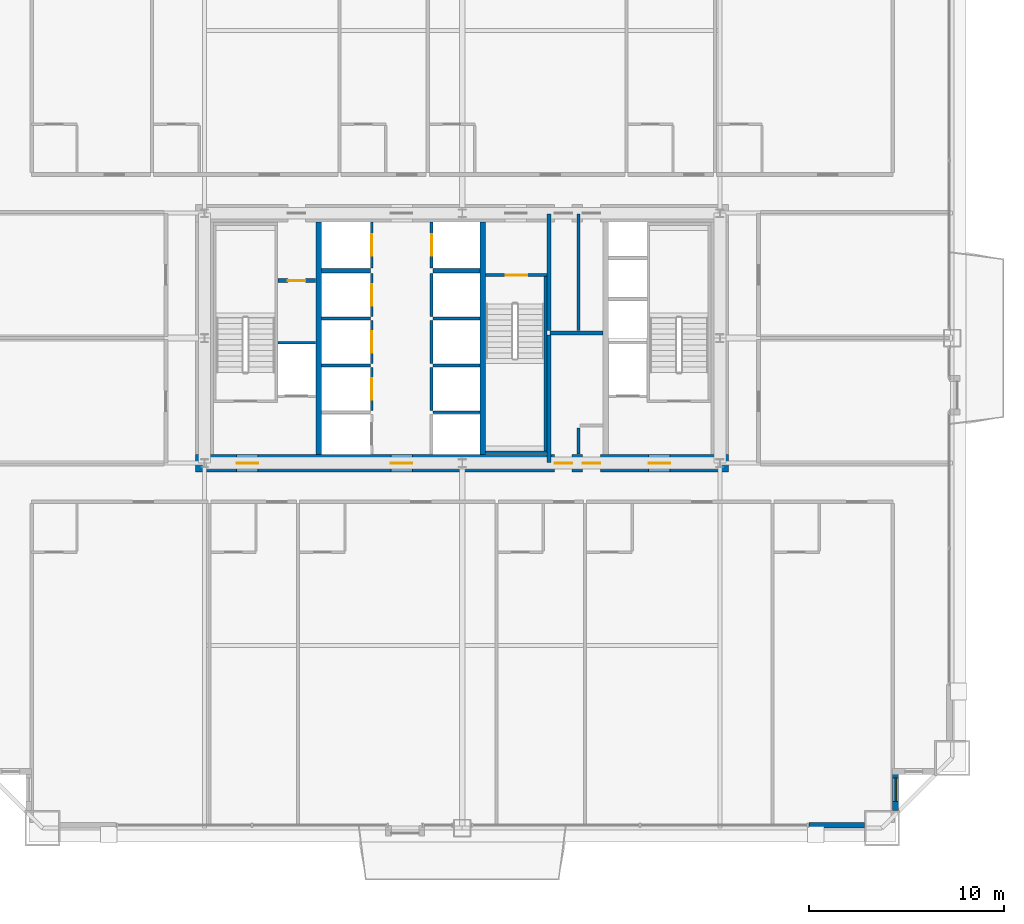
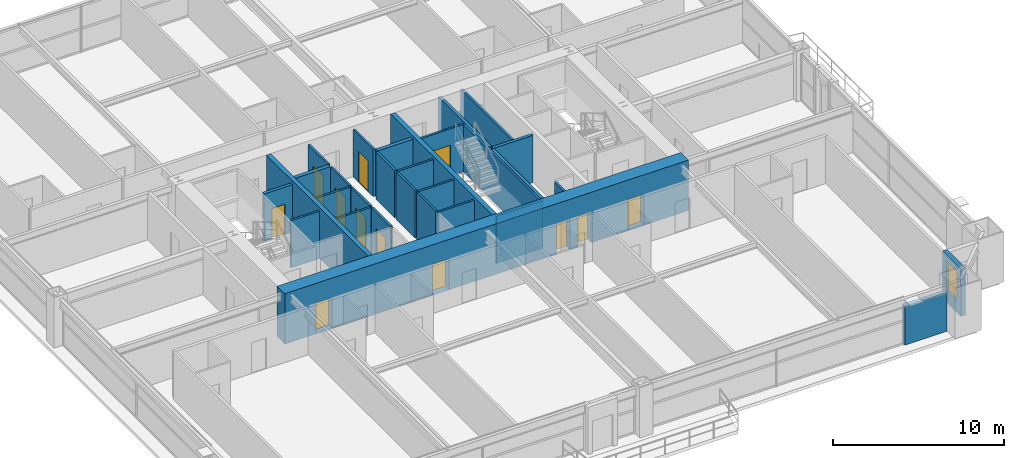
# One storey, part 39 of 43: 30 walls, 12 doors, 1 window, 13 openings.
"""IFC4 building model written with IfcOpenShell, lengths in metres."""

from ifc_helpers import new_model, si_unit, direction, frame, frame_2d, origin, place, context, subcontext, project, spatial, rectangle, extrude, source, transform, mapped, material, layer, layer_set, type_object, element, fill, save


model = new_model("IFC4")

# Units and contexts
model_context = context("Model", 3, precision=1e-05, world=origin(), true_north=direction((0.0, 1.0)))
body_context = subcontext(model_context, "Body", "Model", "MODEL_VIEW")
ifc_project = project(units=[si_unit("LENGTHUNIT", "METRE"), si_unit("AREAUNIT", "SQUARE_METRE"), si_unit("VOLUMEUNIT", "CUBIC_METRE"), si_unit("PLANEANGLEUNIT", "RADIAN"), si_unit("MASSUNIT", "GRAM", prefix="KILO"), si_unit("THERMODYNAMICTEMPERATUREUNIT", "KELVIN"), si_unit("POWERUNIT", "WATT")], contexts=[model_context])

# Site, building, storey
site_placement = place(None, origin())
site = spatial("IfcSite", under=ifc_project, at=site_placement, CompositionType="ELEMENT")
building_placement = place(site_placement, origin())
building = spatial("IfcBuilding", under=site, at=building_placement, Name="Yuzanri Waterfront Tower", CompositionType="ELEMENT")
storey_placement = place(building_placement, frame((0.0, 0.0, 71.199951171875)))
storey = spatial("IfcBuildingStorey", under=building, at=storey_placement, Name="L18", CompositionType="ELEMENT", Elevation=71.199951171875)

# Wall, opening, window
ifc_material_1 = material(Name="Honed Chongqing Dark Basalt Stone", Category="masonry")
ifc_layer_1 = layer(ifc_material_1, 0.300048828125)
ifc_layer_set_1 = layer_set([ifc_layer_1], Name="Honed Chongqing Dark Basalt Stone")
wall_type_1 = type_object("IfcWallType", Name="Bronze Rainscreen Insulated Spandrel Portal Wall 300", PredefinedType="SOLIDWALL", material=ifc_layer_set_1)
wall_1_placement = place(storey_placement, frame((59.199951171875, 1.60009765625, 0.0), z_axis=(0.0, 0.0, 1.0), x_axis=(0.0, 1.0, 0.0)))
wall_1 = element("IfcWall", 1, at=wall_1_placement, inside=storey, type_object=wall_type_1, Name="L18 Notched Corner Masonry Wall SE-Y", PredefinedType="SOLIDWALL", context=body_context, shape_type="SweptSolid", body=[
    extrude(rectangle(XDim=2.14990234375, YDim=0.300048828125, at=frame_2d((1.074951171875, 0.0))), origin(), (0.0, 0.0, 1.0), 3.380126953125),
])
opening_1_placement = place(wall_1_placement, frame((0.47509765625, 0.0, 0.85009765625)))
opening_1 = element("IfcOpeningElement", 2, at=opening_1_placement, cuts=wall_1, Name="Opening WN-02", PredefinedType="OPENING", context=body_context, shape_type="SweptSolid", body=[
    extrude(rectangle(XDim=1.199951171875, YDim=2.10009765625, at=frame_2d((0.60009765625, 1.050048828125))), frame((0.0, 0.1650390625, 0.0), z_axis=(0.0, -1.0, 0.0), x_axis=(1.0, 0.0, 0.0)), (0.0, 0.0, 1.0), 0.329833984375),
])
ifc_material_2 = material(Name="Double-Silver Low-E Insulated Glass", Category="glass")
window_type = type_object("IfcWindowType", Name="Anodized Bronze Notched Corner Deep-Set Slot Window 1200x2100", PartitioningType="SINGLE_PANEL", PredefinedType="WINDOW", material=ifc_material_2)
shared_shape_1 = source(origin(), body_context, "Body", "SweptSolid", [
    extrude(rectangle(XDim=1.199951171875, YDim=2.10009765625, at=frame_2d((0.60009765625, 1.050048828125))), frame((0.0, 0.030029296875, 0.0), z_axis=(0.0, -1.0, 0.0), x_axis=(1.0, 0.0, 0.0)), (0.0, 0.0, 1.0), 0.06005859375),
])
window_placement = place(opening_1_placement, origin())
window = element("IfcWindow", 3, at=window_placement, inside=storey, type_object=window_type, Name="L18 Notched Corner Window SE-Y", OverallHeight=2.10009765625, OverallWidth=1.199951171875, PartitioningType="SINGLE_PANEL", PredefinedType="WINDOW", context=body_context, shape_type="MappedRepresentation", body=[
    mapped(shared_shape_1, transform((0.0, 0.0, 0.0), scale=1.0)),
])
fill(opening_1, window)

# Wall, openings, doors
ifc_material_3 = material(Name="Concrete C60", Category="concrete")
ifc_layer_2 = layer(ifc_material_3, 0.89990234375)
ifc_layer_set_2 = layer_set([ifc_layer_2], Name="Concrete C60")
wall_type_2 = type_object("IfcWallType", Name="Concrete C60 Lower Zone Core Shear Wall 900", PredefinedType="SHEAR", material=ifc_layer_set_2)
wall_2_placement = place(storey_placement, frame((23.35009765625, 19.39990234375, 0.0), z_axis=(0.0, 0.0, 1.0), x_axis=(1.0, 0.0, 0.0)))
wall_2 = element("IfcWall", 4, at=wall_2_placement, inside=storey, type_object=wall_type_2, Name="L18 Core South Shear Wall", PredefinedType="SHEAR", context=body_context, shape_type="SweptSolid", body=[
    extrude(rectangle(XDim=27.2998046875, YDim=0.89990234375, at=frame_2d((13.64990234375, 0.0))), origin(), (0.0, 0.0, 1.0), 3.60009765625),
])
opening_2_placement = place(wall_2_placement, frame((2.10009765625, 0.0, 0.0)))
opening_2 = element("IfcOpeningElement", 5, at=opening_2_placement, cuts=wall_2, Name="Opening FD-1100", PredefinedType="OPENING", context=body_context, shape_type="SweptSolid", body=[
    extrude(rectangle(XDim=1.10009765625, YDim=2.199951171875, at=frame_2d((0.550048828125, 1.10009765625))), frame((0.0, 0.46484375, 0.0), z_axis=(0.0, -1.0, 0.0), x_axis=(1.0, 0.0, 0.0)), (0.0, 0.0, 1.0), 0.9296875),
])
opening_3_placement = place(wall_2_placement, frame((10.0, 0.0, 0.0)))
opening_3 = element("IfcOpeningElement", 6, at=opening_3_placement, cuts=wall_2, Name="Opening FD-1100", PredefinedType="OPENING", context=body_context, shape_type="SweptSolid", body=[
    extrude(rectangle(XDim=1.10009765625, YDim=2.199951171875, at=frame_2d((0.550048828125, 1.10009765625))), frame((0.0, 0.46484375, 0.0), z_axis=(0.0, -1.0, 0.0), x_axis=(1.0, 0.0, 0.0)), (0.0, 0.0, 1.0), 0.9296875),
])
opening_4_placement = place(wall_2_placement, frame((23.199951171875, 0.0, 0.0)))
opening_4 = element("IfcOpeningElement", 7, at=opening_4_placement, cuts=wall_2, Name="Opening FD-1100", PredefinedType="OPENING", context=body_context, shape_type="SweptSolid", body=[
    extrude(rectangle(XDim=1.10009765625, YDim=2.199951171875, at=frame_2d((0.550048828125, 1.10009765625))), frame((0.0, 0.46484375, 0.0), z_axis=(0.0, -1.0, 0.0), x_axis=(1.0, 0.0, 0.0)), (0.0, 0.0, 1.0), 0.9296875),
])
opening_5_placement = place(wall_2_placement, frame((19.820068359375, 0.0, 0.0)))
opening_5 = element("IfcOpeningElement", 8, at=opening_5_placement, cuts=wall_2, Name="Opening FD-0900", PredefinedType="OPENING", context=body_context, shape_type="SweptSolid", body=[
    extrude(rectangle(XDim=0.89990234375, YDim=2.14990234375, at=frame_2d((0.449951171875, 1.074951171875))), frame((0.0, 0.46484375, 0.0), z_axis=(0.0, -1.0, 0.0), x_axis=(1.0, 0.0, 0.0)), (0.0, 0.0, 1.0), 0.9296875),
])
opening_6_placement = place(wall_2_placement, frame((18.3798828125, 0.0, 0.0)))
opening_6 = element("IfcOpeningElement", 9, at=opening_6_placement, cuts=wall_2, Name="Opening FD-0900", PredefinedType="OPENING", context=body_context, shape_type="SweptSolid", body=[
    extrude(rectangle(XDim=0.89990234375, YDim=2.14990234375, at=frame_2d((0.449951171875, 1.074951171875))), frame((0.0, 0.46484375, 0.0), z_axis=(0.0, -1.0, 0.0), x_axis=(1.0, 0.0, 0.0)), (0.0, 0.0, 1.0), 0.9296875),
])
ifc_material_4 = material(Name="Painted Galvanized Fire Steel", Category="steel")
door_type_1 = type_object("IfcDoorType", Name="Smoke-Proof Stair and Lobby Fire Door 1100x2200", OperationType="NOTDEFINED", PredefinedType="DOOR", material=ifc_material_4)
shared_shape_2 = source(origin(), body_context, "Body", "SweptSolid", [
    extrude(rectangle(XDim=1.10009765625, YDim=2.199951171875, at=frame_2d((0.550048828125, 1.10009765625))), frame((0.0, 0.02490234375, 0.0), z_axis=(0.0, -1.0, 0.0), x_axis=(1.0, 0.0, 0.0)), (0.0, 0.0, 1.0), 0.050048828125),
])
door_1_placement = place(opening_2_placement, origin())
door_1 = element("IfcDoor", 10, at=door_1_placement, inside=storey, type_object=door_type_1, Name="L18 West Firefighting Lobby Door", OperationType="SINGLE_SWING_LEFT", OverallHeight=2.199951171875, OverallWidth=1.10009765625, PredefinedType="DOOR", context=body_context, shape_type="MappedRepresentation", body=[
    mapped(shared_shape_2, transform((0.0, 0.0, 0.0), scale=1.0)),
])
fill(opening_2, door_1)
door_2_placement = place(opening_3_placement, origin())
door_2 = element("IfcDoor", 11, at=door_2_placement, inside=storey, type_object=door_type_1, Name="L18 Central Lift Lobby South Door", OperationType="SINGLE_SWING_RIGHT", OverallHeight=2.199951171875, OverallWidth=1.10009765625, PredefinedType="DOOR", context=body_context, shape_type="MappedRepresentation", body=[
    mapped(shared_shape_2, transform((0.0, 0.0, 0.0), scale=1.0)),
])
fill(opening_3, door_2)
door_3_placement = place(opening_4_placement, origin())
door_3 = element("IfcDoor", 12, at=door_3_placement, inside=storey, type_object=door_type_1, Name="L18 East Firefighting Lobby Door", OperationType="SINGLE_SWING_LEFT", OverallHeight=2.199951171875, OverallWidth=1.10009765625, PredefinedType="DOOR", context=body_context, shape_type="MappedRepresentation", body=[
    mapped(shared_shape_2, transform((0.0, 0.0, 0.0), scale=1.0)),
])
fill(opening_4, door_3)
ifc_material_5 = material(Name="Painted Galvanized Fire Steel", Category="steel")
door_type_2 = type_object("IfcDoorType", Name="Riser and Service Room Fire Door 900x2150", OperationType="NOTDEFINED", PredefinedType="DOOR", material=ifc_material_5)
shared_shape_3 = source(origin(), body_context, "Body", "SweptSolid", [
    extrude(rectangle(XDim=0.89990234375, YDim=2.14990234375, at=frame_2d((0.449951171875, 1.074951171875))), frame((0.0, 0.02490234375, 0.0), z_axis=(0.0, -1.0, 0.0), x_axis=(1.0, 0.0, 0.0)), (0.0, 0.0, 1.0), 0.050048828125),
])
door_4_placement = place(opening_5_placement, origin())
door_4 = element("IfcDoor", 13, at=door_4_placement, inside=storey, type_object=door_type_2, Name="L18 East Wet Riser Door", OperationType="SINGLE_SWING_RIGHT", OverallHeight=2.14990234375, OverallWidth=0.89990234375, PredefinedType="DOOR", context=body_context, shape_type="MappedRepresentation", body=[
    mapped(shared_shape_3, transform((0.0, 0.0, 0.0), scale=1.0)),
])
fill(opening_5, door_4)
door_5_placement = place(opening_6_placement, origin())
door_5 = element("IfcDoor", 14, at=door_5_placement, inside=storey, type_object=door_type_2, Name="L18 Housekeeping Room", OperationType="SINGLE_SWING_LEFT", OverallHeight=2.14990234375, OverallWidth=0.89990234375, PredefinedType="DOOR", context=body_context, shape_type="MappedRepresentation", body=[
    mapped(shared_shape_3, transform((0.0, 0.0, 0.0), scale=1.0)),
])
fill(opening_6, door_5)

# Wall, opening, door
ifc_material_6 = material(Name="Concrete C40", Category="concrete")
ifc_layer_3 = layer(ifc_material_6, 0.139892578125)
ifc_layer_set_3 = layer_set([ifc_layer_3], Name="Concrete C40")
wall_type_3 = type_object("IfcWallType", Name="Core Stair Liner and Hoistway Shaft Wall 140", PredefinedType="SOLIDWALL", material=ifc_layer_set_3)
wall_3_placement = place(storey_placement, frame((32.3701171875, 22.10009765625, 0.0), z_axis=(0.0, 0.0, 1.0), x_axis=(0.0, 1.0, 0.0)))
wall_3 = element("IfcWall", 15, at=wall_3_placement, inside=storey, type_object=wall_type_3, Name="L18 Lift PL-02 Front Shaft Wall", PredefinedType="SOLIDWALL", context=body_context, shape_type="SweptSolid", body=[
    extrude(rectangle(XDim=2.199951171875, YDim=0.139892578125, at=frame_2d((1.10009765625, 0.0))), origin(), (0.0, 0.0, 1.0), 3.380126953125),
])
opening_7_placement = place(wall_3_placement, frame((0.550048828125, 0.0, 0.0)))
opening_7 = element("IfcOpeningElement", 16, at=opening_7_placement, cuts=wall_3, Name="Opening LD-PL-02", PredefinedType="OPENING", context=body_context, shape_type="SweptSolid", body=[
    extrude(rectangle(XDim=1.10009765625, YDim=2.199951171875, at=frame_2d((0.550048828125, 1.10009765625))), frame((0.0, 0.0849609375, 0.0), z_axis=(0.0, -1.0, 0.0), x_axis=(1.0, 0.0, 0.0)), (0.0, 0.0, 1.0), 0.169677734375),
])
ifc_material_7 = material(Name="Brushed Bronze and Stainless Steel Cab", Category="steel")
door_type_3 = type_object("IfcDoorType", Name="Center-Parting Bronze Lift Landing Sliding Door 1100x2200", OperationType="NOTDEFINED", PredefinedType="DOOR", material=ifc_material_7)
shared_shape_4 = source(origin(), body_context, "Body", "SweptSolid", [
    extrude(rectangle(XDim=1.10009765625, YDim=2.199951171875, at=frame_2d((0.550048828125, 1.10009765625))), frame((0.0, 0.02490234375, 0.0), z_axis=(0.0, -1.0, 0.0), x_axis=(1.0, 0.0, 0.0)), (0.0, 0.0, 1.0), 0.050048828125),
])
door_6_placement = place(opening_7_placement, origin())
door_6 = element("IfcDoor", 17, at=door_6_placement, inside=storey, type_object=door_type_3, Name="L18 PL-02 Lift Landing Sliding Door", OperationType="SLIDING_TO_RIGHT", OverallHeight=2.199951171875, OverallWidth=1.10009765625, PredefinedType="DOOR", context=body_context, shape_type="MappedRepresentation", body=[
    mapped(shared_shape_4, transform((0.0, 0.0, 0.0), scale=1.0)),
])
fill(opening_7, door_6)

wall_4_placement = place(storey_placement, frame((32.3701171875, 24.5, 0.0), z_axis=(0.0, 0.0, 1.0), x_axis=(0.0, 1.0, 0.0)))
wall_4 = element("IfcWall", 18, at=wall_4_placement, inside=storey, type_object=wall_type_3, Name="L18 Lift PL-03 Front Shaft Wall", PredefinedType="SOLIDWALL", context=body_context, shape_type="SweptSolid", body=[
    extrude(rectangle(XDim=2.199951171875, YDim=0.139892578125, at=frame_2d((1.10009765625, 0.0))), origin(), (0.0, 0.0, 1.0), 3.380126953125),
])
opening_8_placement = place(wall_4_placement, frame((0.550048828125, 0.0, 0.0)))
opening_8 = element("IfcOpeningElement", 19, at=opening_8_placement, cuts=wall_4, Name="Opening LD-PL-03", PredefinedType="OPENING", context=body_context, shape_type="SweptSolid", body=[
    extrude(rectangle(XDim=1.10009765625, YDim=2.199951171875, at=frame_2d((0.550048828125, 1.10009765625))), frame((0.0, 0.0849609375, 0.0), z_axis=(0.0, -1.0, 0.0), x_axis=(1.0, 0.0, 0.0)), (0.0, 0.0, 1.0), 0.169677734375),
])
door_7_placement = place(opening_8_placement, origin())
door_7 = element("IfcDoor", 20, at=door_7_placement, inside=storey, type_object=door_type_3, Name="L18 PL-03 Lift Landing Sliding Door", OperationType="SLIDING_TO_LEFT", OverallHeight=2.199951171875, OverallWidth=1.10009765625, PredefinedType="DOOR", context=body_context, shape_type="MappedRepresentation", body=[
    mapped(shared_shape_4, transform((0.0, 0.0, 0.0), scale=1.0)),
])
fill(opening_8, door_7)

wall_5_placement = place(storey_placement, frame((32.3701171875, 26.89990234375, 0.0), z_axis=(0.0, 0.0, 1.0), x_axis=(0.0, 1.0, 0.0)))
wall_5 = element("IfcWall", 21, at=wall_5_placement, inside=storey, type_object=wall_type_3, Name="L18 Lift PL-04 Front Shaft Wall", PredefinedType="SOLIDWALL", context=body_context, shape_type="SweptSolid", body=[
    extrude(rectangle(XDim=2.2001953125, YDim=0.139892578125, at=frame_2d((1.10009765625, 0.0))), origin(), (0.0, 0.0, 1.0), 3.380126953125),
])
opening_9_placement = place(wall_5_placement, frame((0.550048828125, 0.0, 0.0)))
opening_9 = element("IfcOpeningElement", 22, at=opening_9_placement, cuts=wall_5, Name="Opening LD-PL-04", PredefinedType="OPENING", context=body_context, shape_type="SweptSolid", body=[
    extrude(rectangle(XDim=1.10009765625, YDim=2.199951171875, at=frame_2d((0.550048828125, 1.10009765625))), frame((0.0, 0.0849609375, 0.0), z_axis=(0.0, -1.0, 0.0), x_axis=(1.0, 0.0, 0.0)), (0.0, 0.0, 1.0), 0.169677734375),
])
door_8_placement = place(opening_9_placement, origin())
door_8 = element("IfcDoor", 23, at=door_8_placement, inside=storey, type_object=door_type_3, Name="L18 PL-04 Lift Landing Sliding Door", OperationType="SLIDING_TO_RIGHT", OverallHeight=2.199951171875, OverallWidth=1.10009765625, PredefinedType="DOOR", context=body_context, shape_type="MappedRepresentation", body=[
    mapped(shared_shape_4, transform((0.0, 0.0, 0.0), scale=1.0)),
])
fill(opening_9, door_8)

wall_6_placement = place(storey_placement, frame((32.3701171875, 29.39990234375, 0.0), z_axis=(0.0, 0.0, 1.0), x_axis=(0.0, 1.0, 0.0)))
wall_6 = element("IfcWall", 24, at=wall_6_placement, inside=storey, type_object=wall_type_3, Name="L18 Lift SL-01 Front Shaft Wall", PredefinedType="SOLIDWALL", context=body_context, shape_type="SweptSolid", body=[
    extrude(rectangle(XDim=2.340087890625, YDim=0.139892578125, at=frame_2d((1.169921875, 0.0))), origin(), (0.0, 0.0, 1.0), 3.380126953125),
])
opening_10_placement = place(wall_6_placement, frame((0.6201171875, 0.0, 0.0)))
opening_10 = element("IfcOpeningElement", 25, at=opening_10_placement, cuts=wall_6, Name="Opening LD-SL-01", PredefinedType="OPENING", context=body_context, shape_type="SweptSolid", body=[
    extrude(rectangle(XDim=1.10009765625, YDim=2.199951171875, at=frame_2d((0.550048828125, 1.10009765625))), frame((0.0, 0.0849609375, 0.0), z_axis=(0.0, -1.0, 0.0), x_axis=(1.0, 0.0, 0.0)), (0.0, 0.0, 1.0), 0.169677734375),
])
door_9_placement = place(opening_10_placement, origin())
door_9 = element("IfcDoor", 26, at=door_9_placement, inside=storey, type_object=door_type_3, Name="L18 SL-01 Lift Landing Sliding Door", OperationType="SLIDING_TO_LEFT", OverallHeight=2.199951171875, OverallWidth=1.10009765625, PredefinedType="DOOR", context=body_context, shape_type="MappedRepresentation", body=[
    mapped(shared_shape_4, transform((0.0, 0.0, 0.0), scale=1.0)),
])
fill(opening_10, door_9)

wall_7_placement = place(storey_placement, frame((35.429931640625, 29.39990234375, 0.0), z_axis=(0.0, 0.0, 1.0), x_axis=(0.0, 1.0, 0.0)))
wall_7 = element("IfcWall", 27, at=wall_7_placement, inside=storey, type_object=wall_type_3, Name="L18 Lift SL-02 Front Shaft Wall", PredefinedType="SOLIDWALL", context=body_context, shape_type="SweptSolid", body=[
    extrude(rectangle(XDim=2.340087890625, YDim=0.139892578125, at=frame_2d((1.169921875, 0.0))), origin(), (0.0, 0.0, 1.0), 3.380126953125),
])
opening_11_placement = place(wall_7_placement, frame((0.6201171875, 0.0, 0.0)))
opening_11 = element("IfcOpeningElement", 28, at=opening_11_placement, cuts=wall_7, Name="Opening LD-SL-02", PredefinedType="OPENING", context=body_context, shape_type="SweptSolid", body=[
    extrude(rectangle(XDim=1.10009765625, YDim=2.199951171875, at=frame_2d((0.550048828125, 1.10009765625))), frame((0.0, 0.0849609375, 0.0), z_axis=(0.0, -1.0, 0.0), x_axis=(1.0, 0.0, 0.0)), (0.0, 0.0, 1.0), 0.169677734375),
])
door_10_placement = place(opening_11_placement, origin())
door_10 = element("IfcDoor", 29, at=door_10_placement, inside=storey, type_object=door_type_3, Name="L18 SL-02 Lift Landing Sliding Door", OperationType="SLIDING_TO_RIGHT", OverallHeight=2.199951171875, OverallWidth=1.10009765625, PredefinedType="DOOR", context=body_context, shape_type="MappedRepresentation", body=[
    mapped(shared_shape_4, transform((0.0, 0.0, 0.0), scale=1.0)),
])
fill(opening_11, door_10)

wall_8_placement = place(storey_placement, frame((38.199951171875, 29.030029296875, 0.0), z_axis=(0.0, 0.0, 1.0), x_axis=(1.0, 0.0, 0.0)))
wall_8 = element("IfcWall", 30, at=wall_8_placement, inside=storey, type_object=wall_type_3, Name="L18 Shaft Wall STW-L18-ST-03-N", PredefinedType="SOLIDWALL", context=body_context, shape_type="SweptSolid", body=[
    extrude(rectangle(XDim=3.14013671875, YDim=0.139892578125, at=frame_2d((1.570068359375, 0.0))), origin(), (0.0, 0.0, 1.0), 3.380126953125),
])
opening_12_placement = place(wall_8_placement, frame((1.02001953125, 0.0, 0.0)))
opening_12 = element("IfcOpeningElement", 31, at=opening_12_placement, cuts=wall_8, Name="Opening FD-1100", PredefinedType="OPENING", context=body_context, shape_type="SweptSolid", body=[
    extrude(rectangle(XDim=1.10009765625, YDim=2.199951171875, at=frame_2d((0.550048828125, 1.10009765625))), frame((0.0, 0.0849609375, 0.0), z_axis=(0.0, -1.0, 0.0), x_axis=(1.0, 0.0, 0.0)), (0.0, 0.0, 1.0), 0.169677734375),
])
door_11_placement = place(opening_12_placement, origin())
door_11 = element("IfcDoor", 32, at=door_11_placement, inside=storey, type_object=door_type_1, Name="L18 Stair ST-03 Fire Door", OperationType="SINGLE_SWING_RIGHT", OverallHeight=2.199951171875, OverallWidth=1.10009765625, PredefinedType="DOOR", context=body_context, shape_type="MappedRepresentation", body=[
    mapped(shared_shape_2, transform((0.0, 0.0, 0.0), scale=1.0)),
])
fill(opening_12, door_11)

ifc_material_8 = material(Name="Autoclaved Aerated Concrete Blockwork", Category="masonry")
ifc_layer_4 = layer(ifc_material_8, 0.199951171875)
ifc_layer_set_4 = layer_set([ifc_layer_4], Name="Autoclaved Aerated Concrete Blockwork")
wall_type_4 = type_object("IfcWallType", Name="Corridor and Unit Party Fire Wall 200", PredefinedType="PARTITIONING", material=ifc_layer_set_4)
wall_9_placement = place(storey_placement, frame((27.56005859375, 28.75, 0.0), z_axis=(0.0, 0.0, 1.0), x_axis=(1.0, 0.0, 0.0)))
wall_9 = element("IfcWall", 33, at=wall_9_placement, inside=storey, type_object=wall_type_4, Name="L18 Partition CRW-L18-ERTR", PredefinedType="PARTITIONING", context=body_context, shape_type="SweptSolid", body=[
    extrude(rectangle(XDim=1.919921875, YDim=0.199951171875, at=frame_2d((0.9599609375, 0.0))), origin(), (0.0, 0.0, 1.0), 3.380126953125),
])
opening_13_placement = place(wall_9_placement, frame((0.510009765625, 0.0, 0.0)))
opening_13 = element("IfcOpeningElement", 34, at=opening_13_placement, cuts=wall_9, Name="Opening FD-0900", PredefinedType="OPENING", context=body_context, shape_type="SweptSolid", body=[
    extrude(rectangle(XDim=0.89990234375, YDim=2.14990234375, at=frame_2d((0.449951171875, 1.074951171875))), frame((0.0, 0.11474609375, 0.0), z_axis=(0.0, -1.0, 0.0), x_axis=(1.0, 0.0, 0.0)), (0.0, 0.0, 1.0), 0.229736328125),
])
door_12_placement = place(opening_13_placement, origin())
door_12 = element("IfcDoor", 35, at=door_12_placement, inside=storey, type_object=door_type_2, Name="L18 Electrical Riser Door", OperationType="SINGLE_SWING_LEFT", OverallHeight=2.14990234375, OverallWidth=0.89990234375, PredefinedType="DOOR", context=body_context, shape_type="MappedRepresentation", body=[
    mapped(shared_shape_3, transform((0.0, 0.0, 0.0), scale=1.0)),
])
fill(opening_13, door_12)

# Walls
ifc_material_9 = material(Name="Concrete C50", Category="concrete")
ifc_layer_5 = layer(ifc_material_9, 0.300048828125)
ifc_layer_set_5 = layer_set([ifc_layer_5], Name="Concrete C50")
wall_type_5 = type_object("IfcWallType", Name="Concrete C50 Internal Core Shaft Structural Wall 300", PredefinedType="SOLIDWALL", material=ifc_layer_set_5)
shared_shape_5 = source(origin(), body_context, "Body", "SweptSolid", [
    extrude(rectangle(XDim=11.89990234375, YDim=0.300048828125, at=frame_2d((5.949951171875, 0.0))), origin(), (0.0, 0.0, 1.0), 3.60009765625),
])
for number, where, z_axis, x_axis, name in (
    (36, (29.64990234375, 19.85009765625, 0.0), (0.0, 0.0, 1.0), (0.0, 1.0, 0.0), "L18 Core Internal Structural Web Wall 1"),
    (37, (38.050048828125, 19.85009765625, 0.0), (0.0, 0.0, 1.0), (0.0, 1.0, 0.0), "L18 Core Internal Structural Web Wall 2"),
):
    element("IfcWall", number, at=place(storey_placement, frame(where, z_axis=z_axis, x_axis=x_axis)), inside=storey, type_object=wall_type_5, Name=name, PredefinedType="SOLIDWALL", context=body_context, shape_type="MappedRepresentation", body=[
        mapped(shared_shape_5, transform((0.0, 0.0, 0.0), scale=1.0)),
    ])
shared_shape_6 = source(origin(), body_context, "Body", "SweptSolid", [
    extrude(rectangle(XDim=2.85009765625, YDim=0.300048828125, at=frame_2d((1.425048828125, 0.0))), origin(), (0.0, 0.0, 1.0), 2.775146484375),
])
wall_10_placement = place(storey_placement, frame((54.75, 0.85009765625, 0.0), z_axis=(0.0, 0.0, 1.0), x_axis=(1.0, 0.0, 0.0)))
element("IfcWall", 38, at=wall_10_placement, inside=storey, type_object=wall_type_1, Name="L18 S Right Braced Masonry Shoulder", PredefinedType="SOLIDWALL", context=body_context, shape_type="MappedRepresentation", body=[
    mapped(shared_shape_6, transform((0.0, 0.0, 0.0), scale=1.0)),
])
shared_shape_7 = source(origin(), body_context, "Body", "SweptSolid", [
    extrude(rectangle(XDim=1.919921875, YDim=0.139892578125, at=frame_2d((0.9599609375, 0.0))), origin(), (0.0, 0.0, 1.0), 3.380126953125),
])
wall_11_placement = place(storey_placement, frame((27.56005859375, 25.570068359375, 0.0), z_axis=(0.0, 0.0, 1.0), x_axis=(1.0, 0.0, 0.0)))
element("IfcWall", 39, at=wall_11_placement, inside=storey, type_object=wall_type_3, Name="L18 Lift FL-01 Back Shaft Wall", PredefinedType="SOLIDWALL", context=body_context, shape_type="MappedRepresentation", body=[
    mapped(shared_shape_7, transform((0.0, 0.0, 0.0), scale=1.0)),
])
shared_shape_8 = source(origin(), body_context, "Body", "SweptSolid", [
    extrude(rectangle(XDim=2.5, YDim=0.139892578125, at=frame_2d((1.25, 0.0))), origin(), (0.0, 0.0, 1.0), 3.380126953125),
])
for number, where, z_axis, x_axis, name in (
    (40, (29.800048828125, 24.39990234375, 0.0), (0.0, 0.0, 1.0), (1.0, 0.0, 0.0), "L18 Lift PL-02 Divider Wall"),
    (41, (29.800048828125, 26.800048828125, 0.0), (0.0, 0.0, 1.0), (1.0, 0.0, 0.0), "L18 Lift PL-03 Divider Wall"),
):
    element("IfcWall", number, at=place(storey_placement, frame(where, z_axis=z_axis, x_axis=x_axis)), inside=storey, type_object=wall_type_3, Name=name, PredefinedType="SOLIDWALL", context=body_context, shape_type="MappedRepresentation", body=[
        mapped(shared_shape_8, transform((0.0, 0.0, 0.0), scale=1.0)),
    ])
ifc_material_10 = material(Name="Concrete C40", Category="concrete")
ifc_layer_6 = layer(ifc_material_10, 0.25)
ifc_layer_set_6 = layer_set([ifc_layer_6], Name="Concrete C40")
wall_type_6 = type_object("IfcWallType", Name="Smoke-Proof Stair and Lift Shaft Wall 250", PredefinedType="SOLIDWALL", material=ifc_layer_set_6)
shared_shape_9 = source(origin(), body_context, "Body", "SweptSolid", [
    extrude(rectangle(XDim=2.5, YDim=0.25, at=frame_2d((1.25, 0.0))), origin(), (0.0, 0.0, 1.0), 3.380126953125),
])
wall_12_placement = place(storey_placement, frame((29.800048828125, 29.25, 0.0), z_axis=(0.0, 0.0, 1.0), x_axis=(1.0, 0.0, 0.0)))
element("IfcWall", 42, at=wall_12_placement, inside=storey, type_object=wall_type_6, Name="L18 Lift SL-01 South Shaft Wall", PredefinedType="SOLIDWALL", context=body_context, shape_type="MappedRepresentation", body=[
    mapped(shared_shape_9, transform((0.0, 0.0, 0.0), scale=1.0)),
])
shared_shape_10 = source(origin(), body_context, "Body", "SweptSolid", [
    extrude(rectangle(XDim=2.39990234375, YDim=0.139892578125, at=frame_2d((1.199951171875, 0.0))), origin(), (0.0, 0.0, 1.0), 3.380126953125),
])
for number, where, z_axis, x_axis, name in (
    (43, (35.5, 22.0, 0.0), (0.0, 0.0, 1.0), (1.0, 0.0, 0.0), "L18 Lift PL-05 Divider Wall"),
    (44, (35.5, 24.39990234375, 0.0), (0.0, 0.0, 1.0), (1.0, 0.0, 0.0), "L18 Lift PL-06 Divider Wall"),
    (45, (35.5, 26.800048828125, 0.0), (0.0, 0.0, 1.0), (1.0, 0.0, 0.0), "L18 Lift PL-07 Divider Wall"),
):
    element("IfcWall", number, at=place(storey_placement, frame(where, z_axis=z_axis, x_axis=x_axis)), inside=storey, type_object=wall_type_3, Name=name, PredefinedType="SOLIDWALL", context=body_context, shape_type="MappedRepresentation", body=[
        mapped(shared_shape_10, transform((0.0, 0.0, 0.0), scale=1.0)),
    ])
shared_shape_11 = source(origin(), body_context, "Body", "SweptSolid", [
    extrude(rectangle(XDim=2.199951171875, YDim=0.139892578125, at=frame_2d((1.10009765625, 0.0))), origin(), (0.0, 0.0, 1.0), 3.380126953125),
])
for number, where, z_axis, x_axis, name in (
    (46, (35.429931640625, 22.10009765625, 0.0), (0.0, 0.0, 1.0), (0.0, 1.0, 0.0), "L18 Lift PL-06 Front Shaft Wall"),
    (47, (35.429931640625, 24.5, 0.0), (0.0, 0.0, 1.0), (0.0, 1.0, 0.0), "L18 Lift PL-07 Front Shaft Wall"),
):
    element("IfcWall", number, at=place(storey_placement, frame(where, z_axis=z_axis, x_axis=x_axis)), inside=storey, type_object=wall_type_3, Name=name, PredefinedType="SOLIDWALL", context=body_context, shape_type="MappedRepresentation", body=[
        mapped(shared_shape_11, transform((0.0, 0.0, 0.0), scale=1.0)),
    ])
shared_shape_12 = source(origin(), body_context, "Body", "SweptSolid", [
    extrude(rectangle(XDim=2.2001953125, YDim=0.139892578125, at=frame_2d((1.10009765625, 0.0))), origin(), (0.0, 0.0, 1.0), 3.380126953125),
])
wall_13_placement = place(storey_placement, frame((35.429931640625, 26.89990234375, 0.0), z_axis=(0.0, 0.0, 1.0), x_axis=(0.0, 1.0, 0.0)))
element("IfcWall", 48, at=wall_13_placement, inside=storey, type_object=wall_type_3, Name="L18 Lift PL-08 Front Shaft Wall", PredefinedType="SOLIDWALL", context=body_context, shape_type="MappedRepresentation", body=[
    mapped(shared_shape_12, transform((0.0, 0.0, 0.0), scale=1.0)),
])
shared_shape_13 = source(origin(), body_context, "Body", "SweptSolid", [
    extrude(rectangle(XDim=2.39990234375, YDim=0.25, at=frame_2d((1.199951171875, 0.0))), origin(), (0.0, 0.0, 1.0), 3.380126953125),
])
wall_14_placement = place(storey_placement, frame((35.5, 29.25, 0.0), z_axis=(0.0, 0.0, 1.0), x_axis=(1.0, 0.0, 0.0)))
element("IfcWall", 49, at=wall_14_placement, inside=storey, type_object=wall_type_6, Name="L18 Lift SL-02 South Shaft Wall", PredefinedType="SOLIDWALL", context=body_context, shape_type="MappedRepresentation", body=[
    mapped(shared_shape_13, transform((0.0, 0.0, 0.0), scale=1.0)),
])
shared_shape_14 = source(origin(), body_context, "Body", "SweptSolid", [
    extrude(rectangle(XDim=3.14013671875, YDim=0.139892578125, at=frame_2d((1.570068359375, 0.0))), origin(), (0.0, 0.0, 1.0), 3.380126953125),
])
wall_15_placement = place(storey_placement, frame((38.199951171875, 19.949951171875, 0.0), z_axis=(0.0, 0.0, 1.0), x_axis=(1.0, 0.0, 0.0)))
element("IfcWall", 50, at=wall_15_placement, inside=storey, type_object=wall_type_3, Name="L18 Stair ST-03 South Shaft Wall", PredefinedType="SOLIDWALL", context=body_context, shape_type="MappedRepresentation", body=[
    mapped(shared_shape_14, transform((0.0, 0.0, 0.0), scale=1.0)),
])
shared_shape_15 = source(origin(), body_context, "Body", "SweptSolid", [
    extrude(rectangle(XDim=8.93994140625, YDim=0.139892578125, at=frame_2d((4.469970703125, 0.0))), origin(), (0.0, 0.0, 1.0), 3.380126953125),
])
wall_16_placement = place(storey_placement, frame((41.27001953125, 20.02001953125, 0.0), z_axis=(0.0, 0.0, 1.0), x_axis=(0.0, 1.0, 0.0)))
element("IfcWall", 51, at=wall_16_placement, inside=storey, type_object=wall_type_3, Name="L18 Stair ST-03 East Shaft Wall", PredefinedType="SOLIDWALL", context=body_context, shape_type="MappedRepresentation", body=[
    mapped(shared_shape_15, transform((0.0, 0.0, 0.0), scale=1.0)),
])
ifc_material_11 = material(Name="Gypsum Fireboard Acoustic Stud Wall", Category="gypsum")
ifc_layer_7 = layer(ifc_material_11, 0.159912109375)
ifc_layer_set_7 = layer_set([ifc_layer_7], Name="Gypsum Fireboard Acoustic Stud Wall")
wall_type_7 = type_object("IfcWallType", Name="Acoustic Suite Demising Partition 160", PredefinedType="PARTITIONING", material=ifc_layer_set_7)
shared_shape_16 = source(origin(), body_context, "Body", "SweptSolid", [
    extrude(rectangle(XDim=1.33984375, YDim=0.159912109375, at=frame_2d((0.669921875, 0.0))), origin(), (0.0, 0.0, 1.0), 3.380126953125),
])
wall_17_placement = place(storey_placement, frame((42.949951171875, 19.860107421875, 0.0), z_axis=(0.0, 0.0, 1.0), x_axis=(0.0, 1.0, 0.0)))
element("IfcWall", 52, at=wall_17_placement, inside=storey, type_object=wall_type_7, Name="L18 East Wet Riser West Wall", PredefinedType="PARTITIONING", context=body_context, shape_type="MappedRepresentation", body=[
    mapped(shared_shape_16, transform((0.0, 0.0, 0.0), scale=1.0)),
])
shared_shape_17 = source(origin(), body_context, "Body", "SweptSolid", [
    extrude(rectangle(XDim=6.510009765625, YDim=0.199951171875, at=frame_2d((3.2548828125, 0.0))), origin(), (0.0, 0.0, 1.0), 3.380126953125),
])
wall_18_placement = place(storey_placement, frame((41.449951171875, 19.43994140625, 0.0), z_axis=(0.0, 0.0, 1.0), x_axis=(0.0, 1.0, 0.0)))
element("IfcWall", 53, at=wall_18_placement, inside=storey, type_object=wall_type_4, Name="L18 Core BOH West Wall 1", PredefinedType="PARTITIONING", context=body_context, shape_type="MappedRepresentation", body=[
    mapped(shared_shape_17, transform((0.0, 0.0, 0.0), scale=1.0)),
])
shared_shape_18 = source(origin(), body_context, "Body", "SweptSolid", [
    extrude(rectangle(XDim=2.699951171875, YDim=0.199951171875, at=frame_2d((1.35009765625, 0.0))), origin(), (0.0, 0.0, 1.0), 3.380126953125),
])
wall_19_placement = place(storey_placement, frame((41.5, 26.070068359375, 0.0), z_axis=(0.0, 0.0, 1.0), x_axis=(1.0, 0.0, 0.0)))
element("IfcWall", 54, at=wall_19_placement, inside=storey, type_object=wall_type_4, Name="L18 Core BOH Split Wall 1", PredefinedType="PARTITIONING", context=body_context, shape_type="MappedRepresentation", body=[
    mapped(shared_shape_18, transform((0.0, 0.0, 0.0), scale=1.0)),
])
shared_shape_19 = source(origin(), body_context, "Body", "SweptSolid", [
    extrude(rectangle(XDim=5.9599609375, YDim=0.199951171875, at=frame_2d((2.97998046875, 0.0))), origin(), (0.0, 0.0, 1.0), 3.380126953125),
])
wall_20_placement = place(storey_placement, frame((41.449951171875, 26.199951171875, 0.0), z_axis=(0.0, 0.0, 1.0), x_axis=(0.0, 1.0, 0.0)))
element("IfcWall", 55, at=wall_20_placement, inside=storey, type_object=wall_type_4, Name="L18 Core BOH West Wall 2", PredefinedType="PARTITIONING", context=body_context, shape_type="MappedRepresentation", body=[
    mapped(shared_shape_19, transform((0.0, 0.0, 0.0), scale=1.0)),
])
shared_shape_20 = source(origin(), body_context, "Body", "SweptSolid", [
    extrude(rectangle(XDim=5.9599609375, YDim=0.159912109375, at=frame_2d((2.97998046875, 0.0))), origin(), (0.0, 0.0, 1.0), 3.380126953125),
])
wall_21_placement = place(storey_placement, frame((42.949951171875, 26.199951171875, 0.0), z_axis=(0.0, 0.0, 1.0), x_axis=(0.0, 1.0, 0.0)))
element("IfcWall", 56, at=wall_21_placement, inside=storey, type_object=wall_type_7, Name="L18 Core BOH Mid Wall 3", PredefinedType="PARTITIONING", context=body_context, shape_type="MappedRepresentation", body=[
    mapped(shared_shape_20, transform((0.0, 0.0, 0.0), scale=1.0)),
])

save(model, "model.ifc")
